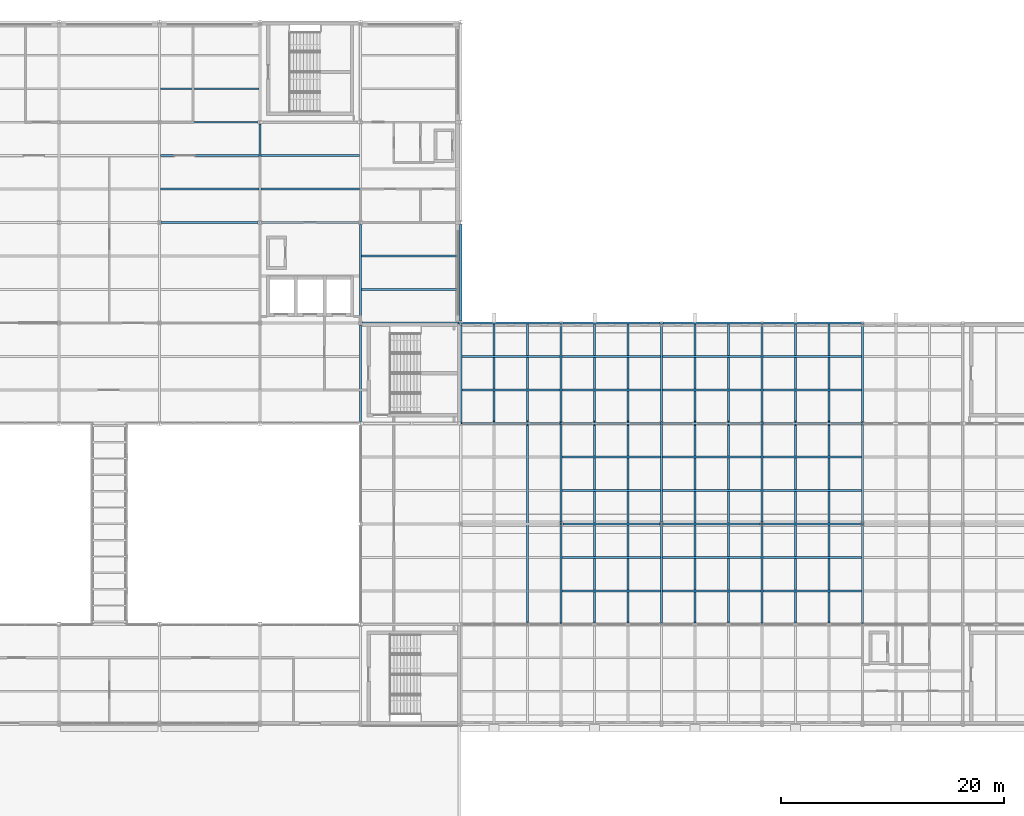
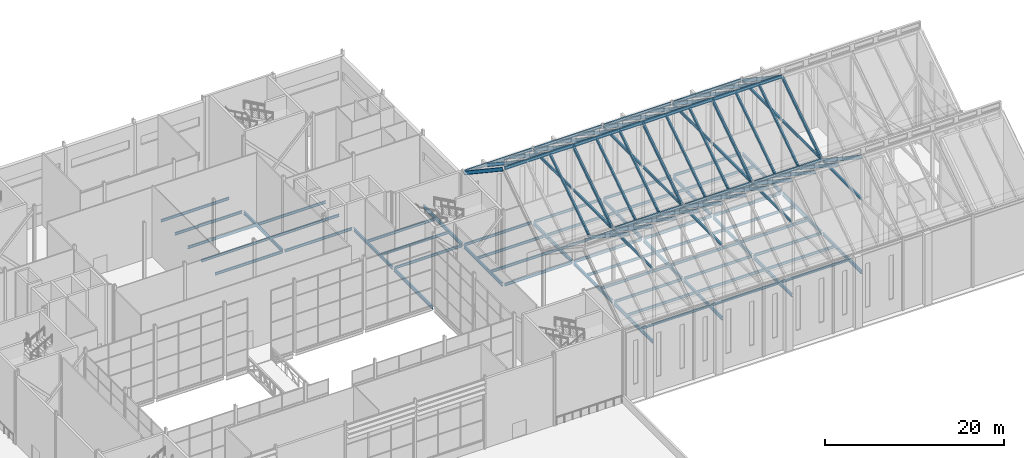
# One storey, part 67 of 111: 82 beams, 35 members.
"""IFC4 building model written with IfcOpenShell, lengths in metres."""

from ifc_helpers import new_model, si_unit, direction, frame, origin, origin_2d, place, context, subcontext, project, spatial, i_section, extrude, material, material_profile, profile_set, type_object, element, save


model = new_model("IFC4")

# Units and contexts
model_context = context("Model", 3, precision=1e-05, world=origin(), true_north=direction((0.0, 1.0)))
body_context = subcontext(model_context, "Body", "Model", "MODEL_VIEW")
ifc_project = project(units=[si_unit("LENGTHUNIT", "METRE"), si_unit("AREAUNIT", "SQUARE_METRE"), si_unit("VOLUMEUNIT", "CUBIC_METRE"), si_unit("PLANEANGLEUNIT", "RADIAN"), si_unit("MASSUNIT", "GRAM", prefix="KILO")], contexts=[model_context])

# Site, building, storey
site_placement = place(None, origin())
site = spatial("IfcSite", under=ifc_project, at=site_placement, CompositionType="ELEMENT")
building_placement = place(site_placement, origin())
building = spatial("IfcBuilding", under=site, at=building_placement, Name="Shorebreak Coast Museum", CompositionType="ELEMENT")
storey_placement = place(building_placement, frame((0.0, 0.0, 16.0)))
storey = spatial("IfcBuildingStorey", under=building, at=storey_placement, Name="L03", CompositionType="ELEMENT", Elevation=16.0)

# Beams
ifc_material_1 = material(Name="Steel Grade 300", Category="steel")
ifc_material_profile_1 = material_profile(ifc_material_1, i_section(OverallWidth=0.1708984375, OverallDepth=0.355712890625, WebThickness=0.00732421875, FlangeThickness=0.011474609375, FilletRadius=0.011474609375, at=origin_2d()), Name="360UB50.7")
ifc_profile_set_1 = profile_set([ifc_material_profile_1], Name="Steel Grade 300")
beam_type_1 = type_object("IfcBeamType", Name="Floor girder east-west 360UB50.7", PredefinedType="BEAM", material=ifc_profile_set_1)
for number, where, z_axis, x_axis, name in (
    (1, (126.153564453125, 72.0, -0.352783203125), (1.0, 0.0, 0.0), (0.0, 1.0, 0.0), "Floor girder east-west L03 15J"),
    (2, (135.153564453125, 72.0, -0.352783203125), (1.0, 0.0, 0.0), (0.0, 1.0, 0.0), "Floor girder east-west L03 16J"),
    (3, (144.153564453125, 72.0, -0.352783203125), (1.0, 0.0, 0.0), (0.0, 1.0, 0.0), "Floor girder east-west L03 17J"),
    (4, (117.153564453125, 81.0, -0.352783203125), (1.0, 0.0, 0.0), (0.0, 1.0, 0.0), "Floor girder east-west L03 14K"),
    (5, (126.153564453125, 81.0, -0.352783203125), (1.0, 0.0, 0.0), (0.0, 1.0, 0.0), "Floor girder east-west L03 15K"),
    (6, (135.153564453125, 81.0, -0.352783203125), (1.0, 0.0, 0.0), (0.0, 1.0, 0.0), "Floor girder east-west L03 16K"),
    (7, (144.153564453125, 81.0, -0.352783203125), (1.0, 0.0, 0.0), (0.0, 1.0, 0.0), "Floor girder east-west L03 17K"),
):
    element("IfcBeam", number, at=place(storey_placement, frame(where, z_axis=z_axis, x_axis=x_axis)), inside=storey, type_object=beam_type_1, Name=name, PredefinedType="BEAM", context=body_context, shape_type="SweptSolid", body=[
        extrude(i_section(OverallWidth=0.1708984375, OverallDepth=0.355712890625, WebThickness=0.00732421875, FlangeThickness=0.011474609375, FilletRadius=0.011474609375, at=origin_2d()), origin(), (0.0, 0.0, 1.0), 8.69287109375),
    ])
beam_1_placement = place(storey_placement, frame((108.155517578125, 90.0, -0.352783203125), z_axis=(1.0, 0.0, 0.0), x_axis=(0.0, 1.0, 0.0)))
element("IfcBeam", 8, at=beam_1_placement, inside=storey, type_object=beam_type_1, Name="Floor girder east-west L03 13L", PredefinedType="BEAM", context=body_context, shape_type="SweptSolid", body=[
    extrude(i_section(OverallWidth=0.1708984375, OverallDepth=0.355712890625, WebThickness=0.00732421875, FlangeThickness=0.011474609375, FilletRadius=0.011474609375, at=origin_2d()), origin(), (0.0, 0.0, 1.0), 8.68896484375),
])
beam_2_placement = place(storey_placement, frame((117.155517578125, 90.0, -0.352783203125), z_axis=(1.0, 0.0, 0.0), x_axis=(0.0, 1.0, 0.0)))
element("IfcBeam", 9, at=beam_2_placement, inside=storey, type_object=beam_type_1, Name="Floor girder east-west L03 14L", PredefinedType="BEAM", context=body_context, shape_type="SweptSolid", body=[
    extrude(i_section(OverallWidth=0.1708984375, OverallDepth=0.355712890625, WebThickness=0.00732421875, FlangeThickness=0.011474609375, FilletRadius=0.011474609375, at=origin_2d()), origin(), (0.0, 0.0, 1.0), 8.694580078125),
])
for number, where, z_axis, x_axis, name in (
    (10, (126.14990234375, 90.0, -0.352783203125), (1.0, 0.0, 0.0), (0.0, 1.0, 0.0), "Floor girder east-west L03 15L"),
    (11, (135.14990234375, 90.0, -0.352783203125), (1.0, 0.0, 0.0), (0.0, 1.0, 0.0), "Floor girder east-west L03 16L"),
    (12, (144.14990234375, 90.0, -0.352783203125), (1.0, 0.0, 0.0), (0.0, 1.0, 0.0), "Floor girder east-west L03 17L"),
):
    element("IfcBeam", number, at=place(storey_placement, frame(where, z_axis=z_axis, x_axis=x_axis)), inside=storey, type_object=beam_type_1, Name=name, PredefinedType="BEAM", context=body_context, shape_type="SweptSolid", body=[
        extrude(i_section(OverallWidth=0.1708984375, OverallDepth=0.355712890625, WebThickness=0.00732421875, FlangeThickness=0.011474609375, FilletRadius=0.011474609375, at=origin_2d()), origin(), (0.0, 0.0, 1.0), 8.7001953125),
    ])
for number, where, z_axis, x_axis, name in (
    (13, (90.153564453125, 99.0, -0.352783203125), (1.0, 0.0, 0.0), (0.0, 1.0, 0.0), "Floor girder east-west L03 11M"),
    (14, (99.153564453125, 99.0, -0.352783203125), (1.0, 0.0, 0.0), (0.0, 1.0, 0.0), "Floor girder east-west L03 12M"),
    (15, (90.153564453125, 108.0, -0.352783203125), (1.0, 0.0, 0.0), (0.0, 1.0, 0.0), "Floor girder east-west L03 11N"),
):
    element("IfcBeam", number, at=place(storey_placement, frame(where, z_axis=z_axis, x_axis=x_axis)), inside=storey, type_object=beam_type_1, Name=name, PredefinedType="BEAM", context=body_context, shape_type="SweptSolid", body=[
        extrude(i_section(OverallWidth=0.1708984375, OverallDepth=0.355712890625, WebThickness=0.00732421875, FlangeThickness=0.011474609375, FilletRadius=0.011474609375, at=origin_2d()), origin(), (0.0, 0.0, 1.0), 8.69287109375),
    ])
ifc_material_2 = material(Name="Steel Grade 300", Category="steel")
ifc_material_profile_2 = material_profile(ifc_material_2, i_section(OverallWidth=0.18994140625, OverallDepth=0.453857421875, WebThickness=0.008544921875, FlangeThickness=0.0126953125, FilletRadius=0.011474609375, at=origin_2d()), Name="460UB67.1")
ifc_profile_set_2 = profile_set([ifc_material_profile_2], Name="Steel Grade 300")
beam_type_2 = type_object("IfcBeamType", Name="Floor girder north-south 460UB67.1", PredefinedType="BEAM", material=ifc_profile_set_2)
for number, where, z_axis, x_axis, name in (
    (16, (126.0, 63.1572265625, -0.40185546875), (0.0, 1.0, 0.0), (-1.0, 0.0, 0.0), "Floor girder north-south L03 15H"),
    (17, (135.0, 63.1572265625, -0.40185546875), (0.0, 1.0, 0.0), (-1.0, 0.0, 0.0), "Floor girder north-south L03 16H"),
    (18, (144.0, 63.1572265625, -0.40185546875), (0.0, 1.0, 0.0), (-1.0, 0.0, 0.0), "Floor girder north-south L03 17H"),
    (19, (153.0, 63.1572265625, -0.40185546875), (0.0, 1.0, 0.0), (-1.0, 0.0, 0.0), "Floor girder north-south L03 18H"),
    (20, (126.0, 72.1572265625, -0.40185546875), (0.0, 1.0, 0.0), (-1.0, 0.0, 0.0), "Floor girder north-south L03 15J"),
    (21, (135.0, 72.1572265625, -0.40185546875), (0.0, 1.0, 0.0), (-1.0, 0.0, 0.0), "Floor girder north-south L03 16J"),
    (22, (144.0, 72.1572265625, -0.40185546875), (0.0, 1.0, 0.0), (-1.0, 0.0, 0.0), "Floor girder north-south L03 17J"),
    (23, (153.0, 72.1572265625, -0.40185546875), (0.0, 1.0, 0.0), (-1.0, 0.0, 0.0), "Floor girder north-south L03 18J"),
):
    element("IfcBeam", number, at=place(storey_placement, frame(where, z_axis=z_axis, x_axis=x_axis)), inside=storey, type_object=beam_type_2, Name=name, PredefinedType="BEAM", context=body_context, shape_type="SweptSolid", body=[
        extrude(i_section(OverallWidth=0.18994140625, OverallDepth=0.453857421875, WebThickness=0.008544921875, FlangeThickness=0.0126953125, FilletRadius=0.011474609375, at=origin_2d()), origin(), (0.0, 0.0, 1.0), 8.685546875),
    ])
beam_3_placement = place(storey_placement, frame((108.0, 81.16357421875, -0.40185546875), z_axis=(0.0, 1.0, 0.0), x_axis=(-1.0, 0.0, 0.0)))
element("IfcBeam", 24, at=beam_3_placement, inside=storey, type_object=beam_type_2, Name="Floor girder north-south L03 13K", PredefinedType="BEAM", context=body_context, shape_type="SweptSolid", body=[
    extrude(i_section(OverallWidth=0.18994140625, OverallDepth=0.453857421875, WebThickness=0.008544921875, FlangeThickness=0.0126953125, FilletRadius=0.011474609375, at=origin_2d()), origin(), (0.0, 0.0, 1.0), 8.6728515625),
])
beam_4_placement = place(storey_placement, frame((117.0, 81.1572265625, -0.40185546875), z_axis=(0.0, 1.0, 0.0), x_axis=(-1.0, 0.0, 0.0)))
element("IfcBeam", 25, at=beam_4_placement, inside=storey, type_object=beam_type_2, Name="Floor girder north-south L03 14K", PredefinedType="BEAM", context=body_context, shape_type="SweptSolid", body=[
    extrude(i_section(OverallWidth=0.18994140625, OverallDepth=0.453857421875, WebThickness=0.008544921875, FlangeThickness=0.0126953125, FilletRadius=0.011474609375, at=origin_2d()), origin(), (0.0, 0.0, 1.0), 8.67919921875),
])
for number, where, z_axis, x_axis, name in (
    (26, (126.0, 81.1572265625, -0.40185546875), (0.0, 1.0, 0.0), (-1.0, 0.0, 0.0), "Floor girder north-south L03 15K"),
    (27, (135.0, 81.1572265625, -0.40185546875), (0.0, 1.0, 0.0), (-1.0, 0.0, 0.0), "Floor girder north-south L03 16K"),
    (28, (144.0, 81.1572265625, -0.40185546875), (0.0, 1.0, 0.0), (-1.0, 0.0, 0.0), "Floor girder north-south L03 17K"),
    (29, (153.0, 81.1572265625, -0.40185546875), (0.0, 1.0, 0.0), (-1.0, 0.0, 0.0), "Floor girder north-south L03 18K"),
):
    element("IfcBeam", number, at=place(storey_placement, frame(where, z_axis=z_axis, x_axis=x_axis)), inside=storey, type_object=beam_type_2, Name=name, PredefinedType="BEAM", context=body_context, shape_type="SweptSolid", body=[
        extrude(i_section(OverallWidth=0.18994140625, OverallDepth=0.453857421875, WebThickness=0.008544921875, FlangeThickness=0.0126953125, FilletRadius=0.011474609375, at=origin_2d()), origin(), (0.0, 0.0, 1.0), 8.69287109375),
    ])
for number, where, z_axis, x_axis, name in (
    (30, (108.0, 90.16357421875, -0.40185546875), (0.0, 1.0, 0.0), (-1.0, 0.0, 0.0), "Floor girder north-south L03 13L"),
    (31, (117.0, 90.16357421875, -0.40185546875), (0.0, 1.0, 0.0), (-1.0, 0.0, 0.0), "Floor girder north-south L03 14L"),
):
    element("IfcBeam", number, at=place(storey_placement, frame(where, z_axis=z_axis, x_axis=x_axis)), inside=storey, type_object=beam_type_2, Name=name, PredefinedType="BEAM", context=body_context, shape_type="SweptSolid", body=[
        extrude(i_section(OverallWidth=0.18994140625, OverallDepth=0.453857421875, WebThickness=0.008544921875, FlangeThickness=0.0126953125, FilletRadius=0.011474609375, at=origin_2d()), origin(), (0.0, 0.0, 1.0), 8.67919921875),
    ])
beam_5_placement = place(storey_placement, frame((99.0, 99.1572265625, -0.40185546875), z_axis=(0.0, 1.0, 0.0), x_axis=(-1.0, 0.0, 0.0)))
element("IfcBeam", 32, at=beam_5_placement, inside=storey, type_object=beam_type_2, Name="Floor girder north-south L03 12M", PredefinedType="BEAM", context=body_context, shape_type="SweptSolid", body=[
    extrude(i_section(OverallWidth=0.18994140625, OverallDepth=0.453857421875, WebThickness=0.008544921875, FlangeThickness=0.0126953125, FilletRadius=0.011474609375, at=origin_2d()), origin(), (0.0, 0.0, 1.0), 8.685546875),
])
ifc_material_3 = material(Name="Steel Grade 300", Category="steel")
ifc_material_profile_3 = material_profile(ifc_material_3, i_section(OverallWidth=0.1708984375, OverallDepth=0.35205078125, WebThickness=0.0068359375, FlangeThickness=0.009765625, FilletRadius=0.011474609375, at=origin_2d()), Name="360UB44.7")
ifc_profile_set_3 = profile_set([ifc_material_profile_3], Name="Steel Grade 300")
beam_type_3 = type_object("IfcBeamType", Name="Floor joist 360UB44.7", PredefinedType="JOIST", material=ifc_profile_set_3)
for number, where, z_axis, x_axis, name in (
    (33, (126.094970703125, 66.0, -0.35107421875), (1.0, 0.0, 0.0), (0.0, 1.0, 0.0), "Floor joist L03 bay 15H at 3000 mm"),
    (34, (126.094970703125, 69.0, -0.35107421875), (1.0, 0.0, 0.0), (0.0, 1.0, 0.0), "Floor joist L03 bay 15H at 6000 mm"),
    (35, (135.094970703125, 66.0, -0.35107421875), (1.0, 0.0, 0.0), (0.0, 1.0, 0.0), "Floor joist L03 bay 16H at 3000 mm"),
    (36, (135.094970703125, 69.0, -0.35107421875), (1.0, 0.0, 0.0), (0.0, 1.0, 0.0), "Floor joist L03 bay 16H at 6000 mm"),
    (37, (144.094970703125, 66.0, -0.35107421875), (1.0, 0.0, 0.0), (0.0, 1.0, 0.0), "Floor joist L03 bay 17H at 3000 mm"),
    (38, (144.094970703125, 69.0, -0.35107421875), (1.0, 0.0, 0.0), (0.0, 1.0, 0.0), "Floor joist L03 bay 17H at 6000 mm"),
    (39, (126.094970703125, 75.0, -0.35107421875), (1.0, 0.0, 0.0), (0.0, 1.0, 0.0), "Floor joist L03 bay 15J at 3000 mm"),
    (40, (126.094970703125, 78.0, -0.35107421875), (1.0, 0.0, 0.0), (0.0, 1.0, 0.0), "Floor joist L03 bay 15J at 6000 mm"),
    (41, (135.094970703125, 75.0, -0.35107421875), (1.0, 0.0, 0.0), (0.0, 1.0, 0.0), "Floor joist L03 bay 16J at 3000 mm"),
    (42, (135.094970703125, 78.0, -0.35107421875), (1.0, 0.0, 0.0), (0.0, 1.0, 0.0), "Floor joist L03 bay 16J at 6000 mm"),
    (43, (144.094970703125, 75.0, -0.35107421875), (1.0, 0.0, 0.0), (0.0, 1.0, 0.0), "Floor joist L03 bay 17J at 3000 mm"),
    (44, (144.094970703125, 78.0, -0.35107421875), (1.0, 0.0, 0.0), (0.0, 1.0, 0.0), "Floor joist L03 bay 17J at 6000 mm"),
    (45, (117.094970703125, 84.0, -0.35107421875), (1.0, 0.0, 0.0), (0.0, 1.0, 0.0), "Floor joist L03 bay 14K at 3000 mm"),
    (46, (117.094970703125, 87.0, -0.35107421875), (1.0, 0.0, 0.0), (0.0, 1.0, 0.0), "Floor joist L03 bay 14K at 6000 mm"),
    (47, (126.094970703125, 84.0, -0.35107421875), (1.0, 0.0, 0.0), (0.0, 1.0, 0.0), "Floor joist L03 bay 15K at 3000 mm"),
    (48, (126.094970703125, 87.0, -0.35107421875), (1.0, 0.0, 0.0), (0.0, 1.0, 0.0), "Floor joist L03 bay 15K at 6000 mm"),
    (49, (135.094970703125, 84.0, -0.35107421875), (1.0, 0.0, 0.0), (0.0, 1.0, 0.0), "Floor joist L03 bay 16K at 3000 mm"),
    (50, (135.094970703125, 87.0, -0.35107421875), (1.0, 0.0, 0.0), (0.0, 1.0, 0.0), "Floor joist L03 bay 16K at 6000 mm"),
    (51, (144.094970703125, 84.0, -0.35107421875), (1.0, 0.0, 0.0), (0.0, 1.0, 0.0), "Floor joist L03 bay 17K at 3000 mm"),
    (52, (144.094970703125, 87.0, -0.35107421875), (1.0, 0.0, 0.0), (0.0, 1.0, 0.0), "Floor joist L03 bay 17K at 6000 mm"),
):
    element("IfcBeam", number, at=place(storey_placement, frame(where, z_axis=z_axis, x_axis=x_axis)), inside=storey, type_object=beam_type_3, Name=name, PredefinedType="JOIST", context=body_context, shape_type="SweptSolid", body=[
        extrude(i_section(OverallWidth=0.1708984375, OverallDepth=0.35205078125, WebThickness=0.0068359375, FlangeThickness=0.009765625, FilletRadius=0.011474609375, at=origin_2d()), origin(), (0.0, 0.0, 1.0), 8.81005859375),
    ])
ifc_material_4 = material(Name="Steel Grade 300", Category="steel")
ifc_material_profile_4 = material_profile(ifc_material_4, i_section(OverallWidth=0.1708984375, OverallDepth=0.355712890625, WebThickness=0.00732421875, FlangeThickness=0.011474609375, FilletRadius=0.011474609375, at=origin_2d()), Name="360UB50.7")
ifc_profile_set_4 = profile_set([ifc_material_profile_4], Name="Steel Grade 300")
beam_type_4 = type_object("IfcBeamType", Name="Floor joist 360UB50.7", PredefinedType="JOIST", material=ifc_profile_set_4)
for number, where, z_axis, x_axis, name in (
    (53, (108.094970703125, 93.0, -0.352783203125), (1.0, 0.0, 0.0), (0.0, 1.0, 0.0), "Floor joist L03 bay 13L at 3000 mm"),
    (54, (108.094970703125, 96.0, -0.352783203125), (1.0, 0.0, 0.0), (0.0, 1.0, 0.0), "Floor joist L03 bay 13L at 6000 mm"),
    (55, (90.094970703125, 102.0, -0.352783203125), (1.0, 0.0, 0.0), (0.0, 1.0, 0.0), "Floor joist L03 bay 11M at 3000 mm"),
    (56, (90.094970703125, 105.0, -0.352783203125), (1.0, 0.0, 0.0), (0.0, 1.0, 0.0), "Floor joist L03 bay 11M at 6000 mm"),
    (57, (99.094970703125, 102.0, -0.352783203125), (1.0, 0.0, 0.0), (0.0, 1.0, 0.0), "Floor joist L03 bay 12M at 3000 mm"),
    (58, (99.094970703125, 105.0, -0.352783203125), (1.0, 0.0, 0.0), (0.0, 1.0, 0.0), "Floor joist L03 bay 12M at 6000 mm"),
    (59, (90.094970703125, 111.0, -0.352783203125), (1.0, 0.0, 0.0), (0.0, 1.0, 0.0), "Floor joist L03 bay 11N at 3000 mm"),
):
    element("IfcBeam", number, at=place(storey_placement, frame(where, z_axis=z_axis, x_axis=x_axis)), inside=storey, type_object=beam_type_4, Name=name, PredefinedType="JOIST", context=body_context, shape_type="SweptSolid", body=[
        extrude(i_section(OverallWidth=0.1708984375, OverallDepth=0.355712890625, WebThickness=0.00732421875, FlangeThickness=0.011474609375, FilletRadius=0.011474609375, at=origin_2d()), origin(), (0.0, 0.0, 1.0), 8.81005859375),
    ])

# Members
ifc_material_5 = material(Name="Steel Grade 300", Category="steel")
ifc_material_profile_5 = material_profile(ifc_material_5, i_section(OverallWidth=0.177978515625, OverallDepth=0.402587890625, WebThickness=0.007568359375, FlangeThickness=0.010986328125, FilletRadius=0.011474609375, at=origin_2d()), Name="410UB53.7")
ifc_profile_set_5 = profile_set([ifc_material_profile_5], Name="Steel Grade 300")
member_type_1 = type_object("IfcMemberType", Name="Fold rafter 410UB53.7", PredefinedType="RAFTER", material=ifc_profile_set_5)
for number, where, z_axis, x_axis, name in (
    (60, (123.0, 63.089111328125, 15.458251953125), (0.0, 0.832043209162, -0.554710823842), (-1.0, 0.0, 0.0), "Fold rafter FOLD-E line 2 03"),
    (61, (129.0, 63.089111328125, 15.458251953125), (0.0, 0.832043209162, -0.554710823842), (-1.0, 0.0, 0.0), "Fold rafter FOLD-E line 2 05"),
    (62, (132.0, 63.089111328125, 15.458251953125), (0.0, 0.832043209162, -0.554710823842), (-1.0, 0.0, 0.0), "Fold rafter FOLD-E line 2 06"),
    (63, (138.0, 63.089111328125, 15.458251953125), (0.0, 0.832043209162, -0.554710823842), (-1.0, 0.0, 0.0), "Fold rafter FOLD-E line 2 08"),
    (64, (141.0, 63.089111328125, 15.458251953125), (0.0, 0.832043209162, -0.554710823842), (-1.0, 0.0, 0.0), "Fold rafter FOLD-E line 2 09"),
    (65, (147.0, 63.089111328125, 15.458251953125), (0.0, 0.832043209162, -0.554710823842), (-1.0, 0.0, 0.0), "Fold rafter FOLD-E line 2 11"),
    (66, (150.0, 63.089111328125, 15.458251953125), (0.0, 0.832043209162, -0.554710823842), (-1.0, 0.0, 0.0), "Fold rafter FOLD-E line 2 12"),
    (67, (123.0, 80.910888671875, 15.458251953125), (0.0, -0.832043209162, -0.554710823842), (1.0, 0.0, 0.0), "Fold rafter FOLD-E line 3 03"),
    (68, (129.0, 80.910888671875, 15.458251953125), (0.0, -0.832043209162, -0.554710823842), (1.0, 0.0, 0.0), "Fold rafter FOLD-E line 3 05"),
    (69, (132.0, 80.910888671875, 15.458251953125), (0.0, -0.832043209162, -0.554710823842), (1.0, 0.0, 0.0), "Fold rafter FOLD-E line 3 06"),
    (70, (138.0, 80.910888671875, 15.458251953125), (0.0, -0.832043209162, -0.554710823842), (1.0, 0.0, 0.0), "Fold rafter FOLD-E line 3 08"),
    (71, (141.0, 80.910888671875, 15.458251953125), (0.0, -0.832043209162, -0.554710823842), (1.0, 0.0, 0.0), "Fold rafter FOLD-E line 3 09"),
    (72, (147.0, 80.910888671875, 15.458251953125), (0.0, -0.832043209162, -0.554710823842), (1.0, 0.0, 0.0), "Fold rafter FOLD-E line 3 11"),
    (73, (150.0, 80.910888671875, 15.458251953125), (0.0, -0.832043209162, -0.554710823842), (1.0, 0.0, 0.0), "Fold rafter FOLD-E line 3 12"),
    (74, (120.0, 81.089111328125, 15.458251953125), (0.0, 0.832043209162, -0.554710823842), (-1.0, 0.0, 0.0), "Fold rafter FOLD-E line 4 02"),
    (75, (123.0, 81.089111328125, 15.458251953125), (0.0, 0.832043209162, -0.554710823842), (-1.0, 0.0, 0.0), "Fold rafter FOLD-E line 4 03"),
    (76, (129.0, 81.089111328125, 15.458251953125), (0.0, 0.832043209162, -0.554710823842), (-1.0, 0.0, 0.0), "Fold rafter FOLD-E line 4 05"),
    (77, (132.0, 81.089111328125, 15.458251953125), (0.0, 0.832043209162, -0.554710823842), (-1.0, 0.0, 0.0), "Fold rafter FOLD-E line 4 06"),
    (78, (138.0, 81.089111328125, 15.458251953125), (0.0, 0.832043209162, -0.554710823842), (-1.0, 0.0, 0.0), "Fold rafter FOLD-E line 4 08"),
    (79, (141.0, 81.089111328125, 15.458251953125), (0.0, 0.832043209162, -0.554710823842), (-1.0, 0.0, 0.0), "Fold rafter FOLD-E line 4 09"),
    (80, (147.0, 81.089111328125, 15.458251953125), (0.0, 0.832043209162, -0.554710823842), (-1.0, 0.0, 0.0), "Fold rafter FOLD-E line 4 11"),
    (81, (150.0, 81.089111328125, 15.458251953125), (0.0, 0.832043209162, -0.554710823842), (-1.0, 0.0, 0.0), "Fold rafter FOLD-E line 4 12"),
):
    element("IfcMember", number, at=place(storey_placement, frame(where, z_axis=z_axis, x_axis=x_axis)), inside=storey, type_object=member_type_1, Name=name, PredefinedType="RAFTER", context=body_context, shape_type="SweptSolid", body=[
        extrude(i_section(OverallWidth=0.177978515625, OverallDepth=0.402587890625, WebThickness=0.007568359375, FlangeThickness=0.010986328125, FilletRadius=0.011474609375, at=origin_2d()), origin(), (0.0, 0.0, 1.0), 10.6025390625),
    ])
ifc_material_6 = material(Name="Steel Grade 300", Category="steel")
ifc_material_profile_6 = material_profile(ifc_material_6, i_section(OverallWidth=0.18994140625, OverallDepth=0.453857421875, WebThickness=0.008544921875, FlangeThickness=0.0126953125, FilletRadius=0.011474609375, at=origin_2d()), Name="460UB67.1")
ifc_profile_set_6 = profile_set([ifc_material_profile_6], Name="Steel Grade 300")
member_type_2 = type_object("IfcMemberType", Name="Fold rib rafter 460UB67.1", PredefinedType="RAFTER", material=ifc_profile_set_6)
for number, where, z_axis, x_axis, name in (
    (82, (126.0, 63.089111328125, 15.427490234375), (0.0, 0.832043209162, -0.554710823842), (-1.0, 0.0, 0.0), "Fold rib rafter FOLD-E line 2 04"),
    (83, (135.0, 63.089111328125, 15.427490234375), (0.0, 0.832043209162, -0.554710823842), (-1.0, 0.0, 0.0), "Fold rib rafter FOLD-E line 2 07"),
    (84, (144.0, 63.089111328125, 15.427490234375), (0.0, 0.832043209162, -0.554710823842), (-1.0, 0.0, 0.0), "Fold rib rafter FOLD-E line 2 10"),
    (85, (153.0, 63.089111328125, 15.427490234375), (0.0, 0.832043209162, -0.554710823842), (-1.0, 0.0, 0.0), "Fold rib rafter FOLD-E line 2 13"),
    (86, (126.0, 80.910888671875, 15.427490234375), (0.0, -0.832043209162, -0.554710823842), (1.0, 0.0, 0.0), "Fold rib rafter FOLD-E line 3 04"),
    (87, (135.0, 80.910888671875, 15.427490234375), (0.0, -0.832043209162, -0.554710823842), (1.0, 0.0, 0.0), "Fold rib rafter FOLD-E line 3 07"),
    (88, (144.0, 80.910888671875, 15.427490234375), (0.0, -0.832043209162, -0.554710823842), (1.0, 0.0, 0.0), "Fold rib rafter FOLD-E line 3 10"),
    (89, (153.0, 80.910888671875, 15.427490234375), (0.0, -0.832043209162, -0.554710823842), (1.0, 0.0, 0.0), "Fold rib rafter FOLD-E line 3 13"),
    (90, (117.0, 81.089111328125, 15.427490234375), (0.0, 0.832043209162, -0.554710823842), (-1.0, 0.0, 0.0), "Fold rib rafter FOLD-E line 4 01"),
    (91, (126.0, 81.089111328125, 15.427490234375), (0.0, 0.832043209162, -0.554710823842), (-1.0, 0.0, 0.0), "Fold rib rafter FOLD-E line 4 04"),
    (92, (135.0, 81.089111328125, 15.427490234375), (0.0, 0.832043209162, -0.554710823842), (-1.0, 0.0, 0.0), "Fold rib rafter FOLD-E line 4 07"),
    (93, (144.0, 81.089111328125, 15.427490234375), (0.0, 0.832043209162, -0.554710823842), (-1.0, 0.0, 0.0), "Fold rib rafter FOLD-E line 4 10"),
    (94, (153.0, 81.089111328125, 15.427490234375), (0.0, 0.832043209162, -0.554710823842), (-1.0, 0.0, 0.0), "Fold rib rafter FOLD-E line 4 13"),
):
    element("IfcMember", number, at=place(storey_placement, frame(where, z_axis=z_axis, x_axis=x_axis)), inside=storey, type_object=member_type_2, Name=name, PredefinedType="RAFTER", context=body_context, shape_type="SweptSolid", body=[
        extrude(i_section(OverallWidth=0.18994140625, OverallDepth=0.453857421875, WebThickness=0.008544921875, FlangeThickness=0.0126953125, FilletRadius=0.011474609375, at=origin_2d()), origin(), (0.0, 0.0, 1.0), 10.6025390625),
    ])

# Beams
ifc_material_7 = material(Name="Steel Grade 300", Category="steel")
ifc_material_profile_7 = material_profile(ifc_material_7, i_section(OverallWidth=0.1708984375, OverallDepth=0.35205078125, WebThickness=0.0068359375, FlangeThickness=0.009765625, FilletRadius=0.011474609375, at=origin_2d()), Name="360UB44.7")
ifc_profile_set_7 = profile_set([ifc_material_profile_7], Name="Steel Grade 300")
beam_type_5 = type_object("IfcBeamType", Name="Fold rib tie 360UB44.7", PredefinedType="BEAM", material=ifc_profile_set_7)
for number, where, z_axis, x_axis, name in (
    (95, (126.0, 63.154052734375, 9.58349609375), (0.0, 1.0, 0.0), (-1.0, 0.0, 0.0), "Fold rib tie FOLD-E rib 15 H-J"),
    (96, (126.0, 72.154052734375, 9.58349609375), (0.0, 1.0, 0.0), (-1.0, 0.0, 0.0), "Fold rib tie FOLD-E rib 15 J-K"),
):
    element("IfcBeam", number, at=place(storey_placement, frame(where, z_axis=z_axis, x_axis=x_axis)), inside=storey, type_object=beam_type_5, Name=name, PredefinedType="BEAM", context=body_context, shape_type="SweptSolid", body=[
        extrude(i_section(OverallWidth=0.1708984375, OverallDepth=0.35205078125, WebThickness=0.0068359375, FlangeThickness=0.009765625, FilletRadius=0.011474609375, at=origin_2d()), origin(), (0.0, 0.0, 1.0), 8.69189453125),
    ])
beam_6_placement = place(storey_placement, frame((126.0, 81.154052734375, 9.58349609375), z_axis=(0.0, 1.0, 0.0), x_axis=(-1.0, 0.0, 0.0)))
element("IfcBeam", 97, at=beam_6_placement, inside=storey, type_object=beam_type_5, Name="Fold rib tie FOLD-E rib 15 K-L", PredefinedType="BEAM", context=body_context, shape_type="SweptSolid", body=[
    extrude(i_section(OverallWidth=0.1708984375, OverallDepth=0.35205078125, WebThickness=0.0068359375, FlangeThickness=0.009765625, FilletRadius=0.011474609375, at=origin_2d()), origin(), (0.0, 0.0, 1.0), 8.720947265625),
])
for number, where, z_axis, x_axis, name in (
    (98, (135.0, 63.154052734375, 9.58349609375), (0.0, 1.0, 0.0), (-1.0, 0.0, 0.0), "Fold rib tie FOLD-E rib 16 H-J"),
    (99, (135.0, 72.154052734375, 9.58349609375), (0.0, 1.0, 0.0), (-1.0, 0.0, 0.0), "Fold rib tie FOLD-E rib 16 J-K"),
):
    element("IfcBeam", number, at=place(storey_placement, frame(where, z_axis=z_axis, x_axis=x_axis)), inside=storey, type_object=beam_type_5, Name=name, PredefinedType="BEAM", context=body_context, shape_type="SweptSolid", body=[
        extrude(i_section(OverallWidth=0.1708984375, OverallDepth=0.35205078125, WebThickness=0.0068359375, FlangeThickness=0.009765625, FilletRadius=0.011474609375, at=origin_2d()), origin(), (0.0, 0.0, 1.0), 8.69189453125),
    ])
beam_7_placement = place(storey_placement, frame((135.0, 81.154052734375, 9.58349609375), z_axis=(0.0, 1.0, 0.0), x_axis=(-1.0, 0.0, 0.0)))
element("IfcBeam", 100, at=beam_7_placement, inside=storey, type_object=beam_type_5, Name="Fold rib tie FOLD-E rib 16 K-L", PredefinedType="BEAM", context=body_context, shape_type="SweptSolid", body=[
    extrude(i_section(OverallWidth=0.1708984375, OverallDepth=0.35205078125, WebThickness=0.0068359375, FlangeThickness=0.009765625, FilletRadius=0.011474609375, at=origin_2d()), origin(), (0.0, 0.0, 1.0), 8.720947265625),
])
for number, where, z_axis, x_axis, name in (
    (101, (144.0, 63.154052734375, 9.58349609375), (0.0, 1.0, 0.0), (-1.0, 0.0, 0.0), "Fold rib tie FOLD-E rib 17 H-J"),
    (102, (144.0, 72.154052734375, 9.58349609375), (0.0, 1.0, 0.0), (-1.0, 0.0, 0.0), "Fold rib tie FOLD-E rib 17 J-K"),
):
    element("IfcBeam", number, at=place(storey_placement, frame(where, z_axis=z_axis, x_axis=x_axis)), inside=storey, type_object=beam_type_5, Name=name, PredefinedType="BEAM", context=body_context, shape_type="SweptSolid", body=[
        extrude(i_section(OverallWidth=0.1708984375, OverallDepth=0.35205078125, WebThickness=0.0068359375, FlangeThickness=0.009765625, FilletRadius=0.011474609375, at=origin_2d()), origin(), (0.0, 0.0, 1.0), 8.69189453125),
    ])
beam_8_placement = place(storey_placement, frame((144.0, 81.154052734375, 9.58349609375), z_axis=(0.0, 1.0, 0.0), x_axis=(-1.0, 0.0, 0.0)))
element("IfcBeam", 103, at=beam_8_placement, inside=storey, type_object=beam_type_5, Name="Fold rib tie FOLD-E rib 17 K-L", PredefinedType="BEAM", context=body_context, shape_type="SweptSolid", body=[
    extrude(i_section(OverallWidth=0.1708984375, OverallDepth=0.35205078125, WebThickness=0.0068359375, FlangeThickness=0.009765625, FilletRadius=0.011474609375, at=origin_2d()), origin(), (0.0, 0.0, 1.0), 8.720947265625),
])
for number, where, z_axis, x_axis, name in (
    (104, (153.0, 63.154052734375, 9.58349609375), (0.0, 1.0, 0.0), (-1.0, 0.0, 0.0), "Fold rib tie FOLD-E rib 18 H-J"),
    (105, (153.0, 72.154052734375, 9.58349609375), (0.0, 1.0, 0.0), (-1.0, 0.0, 0.0), "Fold rib tie FOLD-E rib 18 J-K"),
):
    element("IfcBeam", number, at=place(storey_placement, frame(where, z_axis=z_axis, x_axis=x_axis)), inside=storey, type_object=beam_type_5, Name=name, PredefinedType="BEAM", context=body_context, shape_type="SweptSolid", body=[
        extrude(i_section(OverallWidth=0.1708984375, OverallDepth=0.35205078125, WebThickness=0.0068359375, FlangeThickness=0.009765625, FilletRadius=0.011474609375, at=origin_2d()), origin(), (0.0, 0.0, 1.0), 8.69189453125),
    ])
beam_9_placement = place(storey_placement, frame((153.0, 81.154052734375, 9.58349609375), z_axis=(0.0, 1.0, 0.0), x_axis=(-1.0, 0.0, 0.0)))
element("IfcBeam", 106, at=beam_9_placement, inside=storey, type_object=beam_type_5, Name="Fold rib tie FOLD-E rib 18 K-L", PredefinedType="BEAM", context=body_context, shape_type="SweptSolid", body=[
    extrude(i_section(OverallWidth=0.1708984375, OverallDepth=0.35205078125, WebThickness=0.0068359375, FlangeThickness=0.009765625, FilletRadius=0.011474609375, at=origin_2d()), origin(), (0.0, 0.0, 1.0), 8.720947265625),
])
ifc_material_8 = material(Name="Steel Grade 300", Category="steel")
ifc_material_profile_8 = material_profile(ifc_material_8, i_section(OverallWidth=0.177978515625, OverallDepth=0.406494140625, WebThickness=0.0078125, FlangeThickness=0.0126953125, FilletRadius=0.011474609375, at=origin_2d()), Name="410UB59.7")
ifc_profile_set_8 = profile_set([ifc_material_profile_8], Name="Steel Grade 300")
beam_type_6 = type_object("IfcBeamType", Name="Fold ridge beam 410UB59.7", PredefinedType="BEAM", material=ifc_profile_set_8)
beam_10_placement = place(storey_placement, frame((117.125, 81.0, 15.556396484375), z_axis=(1.0, 0.0, 0.0), x_axis=(0.0, 1.0, 0.0)))
element("IfcBeam", 107, at=beam_10_placement, inside=storey, type_object=beam_type_6, Name="Fold ridge beam FOLD-E line K bay 14K", PredefinedType="BEAM", context=body_context, shape_type="SweptSolid", body=[
    extrude(i_section(OverallWidth=0.177978515625, OverallDepth=0.406494140625, WebThickness=0.0078125, FlangeThickness=0.0126953125, FilletRadius=0.011474609375, at=origin_2d()), origin(), (0.0, 0.0, 1.0), 8.875),
])
for number, where, z_axis, x_axis, name in (
    (108, (126.0, 81.0, 15.556396484375), (1.0, 0.0, 0.0), (0.0, 1.0, 0.0), "Fold ridge beam FOLD-E line K bay 15K"),
    (109, (135.0, 81.0, 15.556396484375), (1.0, 0.0, 0.0), (0.0, 1.0, 0.0), "Fold ridge beam FOLD-E line K bay 16K"),
    (110, (144.0, 81.0, 15.556396484375), (1.0, 0.0, 0.0), (0.0, 1.0, 0.0), "Fold ridge beam FOLD-E line K bay 17K"),
):
    element("IfcBeam", number, at=place(storey_placement, frame(where, z_axis=z_axis, x_axis=x_axis)), inside=storey, type_object=beam_type_6, Name=name, PredefinedType="BEAM", context=body_context, shape_type="SweptSolid", body=[
        extrude(i_section(OverallWidth=0.177978515625, OverallDepth=0.406494140625, WebThickness=0.0078125, FlangeThickness=0.0126953125, FilletRadius=0.011474609375, at=origin_2d()), origin(), (0.0, 0.0, 1.0), 9.0),
    ])
ifc_material_9 = material(Name="Steel Grade 300", Category="steel")
ifc_material_profile_9 = material_profile(ifc_material_9, i_section(OverallWidth=0.177978515625, OverallDepth=0.406494140625, WebThickness=0.0078125, FlangeThickness=0.0126953125, FilletRadius=0.011474609375, at=origin_2d()), Name="410UB59.7")
ifc_profile_set_9 = profile_set([ifc_material_profile_9], Name="Steel Grade 300")
beam_type_7 = type_object("IfcBeamType", Name="Fold valley girder 410UB59.7", PredefinedType="BEAM", material=ifc_profile_set_9)
for number, where, z_axis, x_axis, name in (
    (111, (126.152587890625, 72.0, 9.61572265625), (1.0, 0.0, 0.0), (0.0, 1.0, 0.0), "Fold valley girder FOLD-E line J bay 15J"),
    (112, (135.152587890625, 72.0, 9.61572265625), (1.0, 0.0, 0.0), (0.0, 1.0, 0.0), "Fold valley girder FOLD-E line J bay 16J"),
    (113, (144.152587890625, 72.0, 9.61572265625), (1.0, 0.0, 0.0), (0.0, 1.0, 0.0), "Fold valley girder FOLD-E line J bay 17J"),
):
    element("IfcBeam", number, at=place(storey_placement, frame(where, z_axis=z_axis, x_axis=x_axis)), inside=storey, type_object=beam_type_7, Name=name, PredefinedType="BEAM", context=body_context, shape_type="SweptSolid", body=[
        extrude(i_section(OverallWidth=0.177978515625, OverallDepth=0.406494140625, WebThickness=0.0078125, FlangeThickness=0.0126953125, FilletRadius=0.011474609375, at=origin_2d()), origin(), (0.0, 0.0, 1.0), 8.69482421875),
    ])
beam_11_placement = place(storey_placement, frame((117.155517578125, 90.0, 9.61572265625), z_axis=(1.0, 0.0, 0.0), x_axis=(0.0, 1.0, 0.0)))
element("IfcBeam", 114, at=beam_11_placement, inside=storey, type_object=beam_type_7, Name="Fold valley girder FOLD-E line L bay 14L", PredefinedType="BEAM", context=body_context, shape_type="SweptSolid", body=[
    extrude(i_section(OverallWidth=0.177978515625, OverallDepth=0.406494140625, WebThickness=0.0078125, FlangeThickness=0.0126953125, FilletRadius=0.011474609375, at=origin_2d()), origin(), (0.0, 0.0, 1.0), 8.719482421875),
])
for number, where, z_axis, x_axis, name in (
    (115, (126.125, 90.0, 9.61572265625), (1.0, 0.0, 0.0), (0.0, 1.0, 0.0), "Fold valley girder FOLD-E line L bay 15L"),
    (116, (135.125, 90.0, 9.61572265625), (1.0, 0.0, 0.0), (0.0, 1.0, 0.0), "Fold valley girder FOLD-E line L bay 16L"),
    (117, (144.125, 90.0, 9.61572265625), (1.0, 0.0, 0.0), (0.0, 1.0, 0.0), "Fold valley girder FOLD-E line L bay 17L"),
):
    element("IfcBeam", number, at=place(storey_placement, frame(where, z_axis=z_axis, x_axis=x_axis)), inside=storey, type_object=beam_type_7, Name=name, PredefinedType="BEAM", context=body_context, shape_type="SweptSolid", body=[
        extrude(i_section(OverallWidth=0.177978515625, OverallDepth=0.406494140625, WebThickness=0.0078125, FlangeThickness=0.0126953125, FilletRadius=0.011474609375, at=origin_2d()), origin(), (0.0, 0.0, 1.0), 8.75),
    ])

save(model, "model.ifc")
